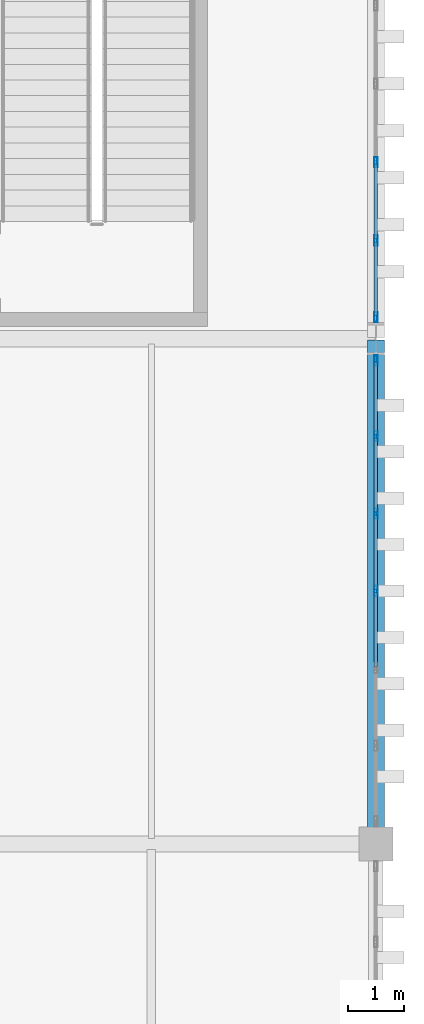
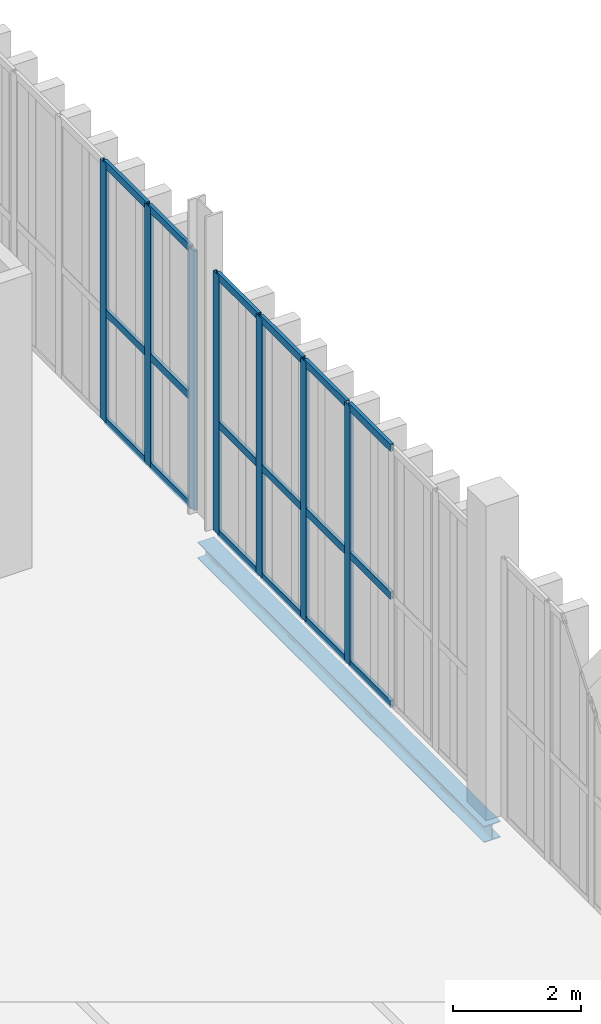
# One storey, part 104 of 211: 25 members, 1 beam, 2 elements without a shape of their own.
"""IFC4 building model written with IfcOpenShell, lengths in metres."""

from ifc_helpers import new_model, si_unit, direction, frame, origin, origin_2d, place, context, subcontext, project, spatial, hollow_rectangle, i_section, extrude, material, layer, layer_set, material_profile, profile_set, type_object, element, aggregate, save


model = new_model("IFC4")

# Units and contexts
model_context = context("Model", 3, precision=1e-05, world=origin(), true_north=direction((0.0, 1.0)))
body_context = subcontext(model_context, "Body", "Model", "MODEL_VIEW")
ifc_project = project(units=[si_unit("LENGTHUNIT", "METRE"), si_unit("AREAUNIT", "SQUARE_METRE"), si_unit("VOLUMEUNIT", "CUBIC_METRE"), si_unit("PLANEANGLEUNIT", "RADIAN"), si_unit("MASSUNIT", "GRAM", prefix="KILO")], contexts=[model_context])

# Site, building, storey
site_placement = place(None, origin())
site = spatial("IfcSite", under=ifc_project, at=site_placement, CompositionType="ELEMENT")
building_placement = place(site_placement, origin())
building = spatial("IfcBuilding", under=site, at=building_placement, Name="Barlavento Convention Centre", CompositionType="ELEMENT")
storey_placement = place(building_placement, frame((0.0, 0.0, 6.0)))
storey = spatial("IfcBuildingStorey", under=building, at=storey_placement, Name="L01", CompositionType="ELEMENT", Elevation=6.0)

# Curtain wall, members
ifc_material_1 = material(Name="Powder-coated aluminium and Low-E glass", Category="aluminium")
ifc_layer = layer(ifc_material_1, 0.195068359375)
ifc_layer_set = layer_set([ifc_layer], Name="ARC-CW-FOY-L01")
curtain_wall_type = type_object("IfcCurtainWallType", Name="ARC-CW-FOY-L01", PredefinedType="NOTDEFINED", material=ifc_layer_set)
curtain_wall_1_placement = place(storey_placement, origin())
curtain_wall_1 = element("IfcCurtainWall", 1, at=curtain_wall_1_placement, inside=storey, type_object=curtain_wall_type, Name="L01 unitised curtain wall CW03", PredefinedType="NOTDEFINED")
ifc_material_2 = material(Name="Powder-coated aluminium", Category="aluminium")
ifc_material_profile_1 = material_profile(ifc_material_2, hollow_rectangle(XDim=0.06005859375, YDim=0.179931640625, WallThickness=0.0048828125, at=origin_2d()), Name="AL-MULL 60x180x5")
ifc_profile_set_1 = profile_set([ifc_material_profile_1], Name="Powder-coated aluminium")
member_type_1 = type_object("IfcMemberType", Name="ARC-CWM-60X180", PredefinedType="MULLION", material=ifc_profile_set_1)
member_1_placement = place(storey_placement, frame((192.0, 31.507080078125, 0.0), z_axis=(0.0, 0.0, 1.0), x_axis=(-1.0, 0.0, 0.0)))
member_1 = element("IfcMember", 2, at=member_1_placement, type_object=member_type_1, Name="CW03 mullion 4", PredefinedType="MULLION", context=body_context, shape_type="SweptSolid", body=[
    extrude(hollow_rectangle(XDim=0.06005859375, YDim=0.179931640625, WallThickness=0.0048828125, at=origin_2d()), origin(), (0.0, 0.0, 1.0), 4.949951171875),
])
member_2_placement = place(storey_placement, frame((192.0, 32.885986328125, 0.0), z_axis=(0.0, 0.0, 1.0), x_axis=(-1.0, 0.0, 0.0)))
member_2 = element("IfcMember", 3, at=member_2_placement, type_object=member_type_1, Name="CW03 mullion 5", PredefinedType="MULLION", context=body_context, shape_type="SweptSolid", body=[
    extrude(hollow_rectangle(XDim=0.06005859375, YDim=0.179931640625, WallThickness=0.0048828125, at=origin_2d()), origin(), (0.0, 0.0, 1.0), 4.949951171875),
])
member_3_placement = place(storey_placement, frame((192.0, 34.264892578125, 0.0), z_axis=(0.0, 0.0, 1.0), x_axis=(-1.0, 0.0, 0.0)))
member_3 = element("IfcMember", 4, at=member_3_placement, type_object=member_type_1, Name="CW03 mullion 6", PredefinedType="MULLION", context=body_context, shape_type="SweptSolid", body=[
    extrude(hollow_rectangle(XDim=0.06005859375, YDim=0.179931640625, WallThickness=0.0048828125, at=origin_2d()), origin(), (0.0, 0.0, 1.0), 4.949951171875),
])
member_4_placement = place(storey_placement, frame((192.0, 35.614013671875, 0.0), z_axis=(0.0, 0.0, 1.0), x_axis=(-1.0, 0.0, 0.0)))
member_4 = element("IfcMember", 5, at=member_4_placement, type_object=member_type_1, Name="CW03 mullion 7", PredefinedType="MULLION", context=body_context, shape_type="SweptSolid", body=[
    extrude(hollow_rectangle(XDim=0.06005859375, YDim=0.179931640625, WallThickness=0.0048828125, at=origin_2d()), origin(), (0.0, 0.0, 1.0), 4.949951171875),
])

curtain_wall_2_placement = place(storey_placement, origin())
curtain_wall_2 = element("IfcCurtainWall", 6, at=curtain_wall_2_placement, inside=storey, type_object=curtain_wall_type, Name="L01 unitised curtain wall CW03", PredefinedType="NOTDEFINED")
member_5_placement = place(storey_placement, frame((192.0, 36.385986328125, 0.0), z_axis=(0.0, 0.0, 1.0), x_axis=(-1.0, 0.0, 0.0)))
member_5 = element("IfcMember", 7, at=member_5_placement, type_object=member_type_1, Name="CW03 mullion 1", PredefinedType="MULLION", context=body_context, shape_type="SweptSolid", body=[
    extrude(hollow_rectangle(XDim=0.06005859375, YDim=0.179931640625, WallThickness=0.0048828125, at=origin_2d()), origin(), (0.0, 0.0, 1.0), 4.949951171875),
])
member_6_placement = place(storey_placement, frame((192.0, 37.751220703125, 0.0), z_axis=(0.0, 0.0, 1.0), x_axis=(-1.0, 0.0, 0.0)))
member_6 = element("IfcMember", 8, at=member_6_placement, type_object=member_type_1, Name="CW03 mullion 2", PredefinedType="MULLION", context=body_context, shape_type="SweptSolid", body=[
    extrude(hollow_rectangle(XDim=0.06005859375, YDim=0.179931640625, WallThickness=0.0048828125, at=origin_2d()), origin(), (0.0, 0.0, 1.0), 4.949951171875),
])
member_7_placement = place(storey_placement, frame((192.0, 39.146240234375, 0.0), z_axis=(0.0, 0.0, 1.0), x_axis=(-1.0, 0.0, 0.0)))
member_7 = element("IfcMember", 9, at=member_7_placement, type_object=member_type_1, Name="CW03 mullion 3", PredefinedType="MULLION", context=body_context, shape_type="SweptSolid", body=[
    extrude(hollow_rectangle(XDim=0.06005859375, YDim=0.179931640625, WallThickness=0.0048828125, at=origin_2d()), origin(), (0.0, 0.0, 1.0), 4.949951171875),
])

# Member
ifc_material_profile_2 = material_profile(ifc_material_2, hollow_rectangle(XDim=0.06005859375, YDim=0.139892578125, WallThickness=0.00390625, at=origin_2d()), Name="AL-TRAN 60x140x4")
ifc_profile_set_2 = profile_set([ifc_material_profile_2], Name="Powder-coated aluminium")
member_type_2 = type_object("IfcMemberType", Name="ARC-CWT-60X140", PredefinedType="USERDEFINED", material=ifc_profile_set_2)
member_8_placement = place(storey_placement, frame((192.0, 30.157958984375, 0.030029296875), z_axis=(0.0, 1.0, 0.0), x_axis=(-1.0, 0.0, 0.0)))
member_8 = element("IfcMember", 10, at=member_8_placement, type_object=member_type_2, Name="CW03 transom 3.1", ObjectType="TRANSOM", PredefinedType="USERDEFINED", context=body_context, shape_type="SweptSolid", body=[
    extrude(hollow_rectangle(XDim=0.06005859375, YDim=0.139892578125, WallThickness=0.00390625, at=origin_2d()), origin(), (0.0, 0.0, 1.0), 1.319091796875),
])

member_9_placement = place(storey_placement, frame((192.0, 30.157958984375, 2.10009765625), z_axis=(0.0, 1.0, 0.0), x_axis=(-1.0, 0.0, 0.0)))
member_9 = element("IfcMember", 11, at=member_9_placement, type_object=member_type_2, Name="CW03 transom 3.2", ObjectType="TRANSOM", PredefinedType="USERDEFINED", context=body_context, shape_type="SweptSolid", body=[
    extrude(hollow_rectangle(XDim=0.06005859375, YDim=0.139892578125, WallThickness=0.00390625, at=origin_2d()), origin(), (0.0, 0.0, 1.0), 1.319091796875),
])

member_10_placement = place(storey_placement, frame((192.0, 30.157958984375, 4.919921875), z_axis=(0.0, 1.0, 0.0), x_axis=(-1.0, 0.0, 0.0)))
member_10 = element("IfcMember", 12, at=member_10_placement, type_object=member_type_2, Name="CW03 transom 3.3", ObjectType="TRANSOM", PredefinedType="USERDEFINED", context=body_context, shape_type="SweptSolid", body=[
    extrude(hollow_rectangle(XDim=0.06005859375, YDim=0.139892578125, WallThickness=0.00390625, at=origin_2d()), origin(), (0.0, 0.0, 1.0), 1.319091796875),
])

member_11_placement = place(storey_placement, frame((192.0, 31.537109375, 0.030029296875), z_axis=(0.0, 1.0, 0.0), x_axis=(-1.0, 0.0, 0.0)))
member_11 = element("IfcMember", 13, at=member_11_placement, type_object=member_type_2, Name="CW03 transom 4.1", ObjectType="TRANSOM", PredefinedType="USERDEFINED", context=body_context, shape_type="SweptSolid", body=[
    extrude(hollow_rectangle(XDim=0.06005859375, YDim=0.139892578125, WallThickness=0.00390625, at=origin_2d()), origin(), (0.0, 0.0, 1.0), 1.31884765625),
])

member_12_placement = place(storey_placement, frame((192.0, 31.537109375, 2.10009765625), z_axis=(0.0, 1.0, 0.0), x_axis=(-1.0, 0.0, 0.0)))
member_12 = element("IfcMember", 14, at=member_12_placement, type_object=member_type_2, Name="CW03 transom 4.2", ObjectType="TRANSOM", PredefinedType="USERDEFINED", context=body_context, shape_type="SweptSolid", body=[
    extrude(hollow_rectangle(XDim=0.06005859375, YDim=0.139892578125, WallThickness=0.00390625, at=origin_2d()), origin(), (0.0, 0.0, 1.0), 1.31884765625),
])

member_13_placement = place(storey_placement, frame((192.0, 31.537109375, 4.919921875), z_axis=(0.0, 1.0, 0.0), x_axis=(-1.0, 0.0, 0.0)))
member_13 = element("IfcMember", 15, at=member_13_placement, type_object=member_type_2, Name="CW03 transom 4.3", ObjectType="TRANSOM", PredefinedType="USERDEFINED", context=body_context, shape_type="SweptSolid", body=[
    extrude(hollow_rectangle(XDim=0.06005859375, YDim=0.139892578125, WallThickness=0.00390625, at=origin_2d()), origin(), (0.0, 0.0, 1.0), 1.31884765625),
])

member_14_placement = place(storey_placement, frame((192.0, 32.916015625, 0.030029296875), z_axis=(0.0, 1.0, 0.0), x_axis=(-1.0, 0.0, 0.0)))
member_14 = element("IfcMember", 16, at=member_14_placement, type_object=member_type_2, Name="CW03 transom 5.1", ObjectType="TRANSOM", PredefinedType="USERDEFINED", context=body_context, shape_type="SweptSolid", body=[
    extrude(hollow_rectangle(XDim=0.06005859375, YDim=0.139892578125, WallThickness=0.00390625, at=origin_2d()), origin(), (0.0, 0.0, 1.0), 1.319091796875),
])

member_15_placement = place(storey_placement, frame((192.0, 32.916015625, 2.10009765625), z_axis=(0.0, 1.0, 0.0), x_axis=(-1.0, 0.0, 0.0)))
member_15 = element("IfcMember", 17, at=member_15_placement, type_object=member_type_2, Name="CW03 transom 5.2", ObjectType="TRANSOM", PredefinedType="USERDEFINED", context=body_context, shape_type="SweptSolid", body=[
    extrude(hollow_rectangle(XDim=0.06005859375, YDim=0.139892578125, WallThickness=0.00390625, at=origin_2d()), origin(), (0.0, 0.0, 1.0), 1.319091796875),
])

member_16_placement = place(storey_placement, frame((192.0, 32.916015625, 4.919921875), z_axis=(0.0, 1.0, 0.0), x_axis=(-1.0, 0.0, 0.0)))
member_16 = element("IfcMember", 18, at=member_16_placement, type_object=member_type_2, Name="CW03 transom 5.3", ObjectType="TRANSOM", PredefinedType="USERDEFINED", context=body_context, shape_type="SweptSolid", body=[
    extrude(hollow_rectangle(XDim=0.06005859375, YDim=0.139892578125, WallThickness=0.00390625, at=origin_2d()), origin(), (0.0, 0.0, 1.0), 1.319091796875),
])

member_17_placement = place(storey_placement, frame((192.0, 34.294921875, 0.030029296875), z_axis=(0.0, 1.0, 0.0), x_axis=(-1.0, 0.0, 0.0)))
member_17 = element("IfcMember", 19, at=member_17_placement, type_object=member_type_2, Name="CW03 transom 6.1", ObjectType="TRANSOM", PredefinedType="USERDEFINED", context=body_context, shape_type="SweptSolid", body=[
    extrude(hollow_rectangle(XDim=0.06005859375, YDim=0.139892578125, WallThickness=0.00390625, at=origin_2d()), origin(), (0.0, 0.0, 1.0), 1.2890625),
])

member_18_placement = place(storey_placement, frame((192.0, 34.294921875, 2.10009765625), z_axis=(0.0, 1.0, 0.0), x_axis=(-1.0, 0.0, 0.0)))
member_18 = element("IfcMember", 20, at=member_18_placement, type_object=member_type_2, Name="CW03 transom 6.2", ObjectType="TRANSOM", PredefinedType="USERDEFINED", context=body_context, shape_type="SweptSolid", body=[
    extrude(hollow_rectangle(XDim=0.06005859375, YDim=0.139892578125, WallThickness=0.00390625, at=origin_2d()), origin(), (0.0, 0.0, 1.0), 1.2890625),
])

member_19_placement = place(storey_placement, frame((192.0, 34.294921875, 4.919921875), z_axis=(0.0, 1.0, 0.0), x_axis=(-1.0, 0.0, 0.0)))
member_19 = element("IfcMember", 21, at=member_19_placement, type_object=member_type_2, Name="CW03 transom 6.3", ObjectType="TRANSOM", PredefinedType="USERDEFINED", context=body_context, shape_type="SweptSolid", body=[
    extrude(hollow_rectangle(XDim=0.06005859375, YDim=0.139892578125, WallThickness=0.00390625, at=origin_2d()), origin(), (0.0, 0.0, 1.0), 1.2890625),
])

aggregate(curtain_wall_1, [member_1, member_2, member_3, member_4, member_8, member_9, member_10, member_11, member_12, member_13, member_14, member_15, member_16, member_17, member_18, member_19])

member_20_placement = place(storey_placement, frame((192.0, 36.416015625, 0.030029296875), z_axis=(0.0, 1.0, 0.0), x_axis=(-1.0, 0.0, 0.0)))
member_20 = element("IfcMember", 22, at=member_20_placement, type_object=member_type_2, Name="CW03 transom 1.1", ObjectType="TRANSOM", PredefinedType="USERDEFINED", context=body_context, shape_type="SweptSolid", body=[
    extrude(hollow_rectangle(XDim=0.06005859375, YDim=0.139892578125, WallThickness=0.00390625, at=origin_2d()), origin(), (0.0, 0.0, 1.0), 1.30517578125),
])

member_21_placement = place(storey_placement, frame((192.0, 36.416015625, 2.10009765625), z_axis=(0.0, 1.0, 0.0), x_axis=(-1.0, 0.0, 0.0)))
member_21 = element("IfcMember", 23, at=member_21_placement, type_object=member_type_2, Name="CW03 transom 1.2", ObjectType="TRANSOM", PredefinedType="USERDEFINED", context=body_context, shape_type="SweptSolid", body=[
    extrude(hollow_rectangle(XDim=0.06005859375, YDim=0.139892578125, WallThickness=0.00390625, at=origin_2d()), origin(), (0.0, 0.0, 1.0), 1.30517578125),
])

member_22_placement = place(storey_placement, frame((192.0, 36.416015625, 4.919921875), z_axis=(0.0, 1.0, 0.0), x_axis=(-1.0, 0.0, 0.0)))
member_22 = element("IfcMember", 24, at=member_22_placement, type_object=member_type_2, Name="CW03 transom 1.3", ObjectType="TRANSOM", PredefinedType="USERDEFINED", context=body_context, shape_type="SweptSolid", body=[
    extrude(hollow_rectangle(XDim=0.06005859375, YDim=0.139892578125, WallThickness=0.00390625, at=origin_2d()), origin(), (0.0, 0.0, 1.0), 1.30517578125),
])

member_23_placement = place(storey_placement, frame((192.0, 37.78125, 0.030029296875), z_axis=(0.0, 1.0, 0.0), x_axis=(-1.0, 0.0, 0.0)))
member_23 = element("IfcMember", 25, at=member_23_placement, type_object=member_type_2, Name="CW03 transom 2.1", ObjectType="TRANSOM", PredefinedType="USERDEFINED", context=body_context, shape_type="SweptSolid", body=[
    extrude(hollow_rectangle(XDim=0.06005859375, YDim=0.139892578125, WallThickness=0.00390625, at=origin_2d()), origin(), (0.0, 0.0, 1.0), 1.3349609375),
])

member_24_placement = place(storey_placement, frame((192.0, 37.78125, 2.10009765625), z_axis=(0.0, 1.0, 0.0), x_axis=(-1.0, 0.0, 0.0)))
member_24 = element("IfcMember", 26, at=member_24_placement, type_object=member_type_2, Name="CW03 transom 2.2", ObjectType="TRANSOM", PredefinedType="USERDEFINED", context=body_context, shape_type="SweptSolid", body=[
    extrude(hollow_rectangle(XDim=0.06005859375, YDim=0.139892578125, WallThickness=0.00390625, at=origin_2d()), origin(), (0.0, 0.0, 1.0), 1.3349609375),
])

member_25_placement = place(storey_placement, frame((192.0, 37.78125, 4.919921875), z_axis=(0.0, 1.0, 0.0), x_axis=(-1.0, 0.0, 0.0)))
member_25 = element("IfcMember", 27, at=member_25_placement, type_object=member_type_2, Name="CW03 transom 2.3", ObjectType="TRANSOM", PredefinedType="USERDEFINED", context=body_context, shape_type="SweptSolid", body=[
    extrude(hollow_rectangle(XDim=0.06005859375, YDim=0.139892578125, WallThickness=0.00390625, at=origin_2d()), origin(), (0.0, 0.0, 1.0), 1.3349609375),
])

aggregate(curtain_wall_2, [member_5, member_6, member_7, member_20, member_21, member_22, member_23, member_24, member_25])

# Beam
ifc_material_3 = material(Name="Steel S355", Category="steel")
ifc_material_profile_3 = material_profile(ifc_material_3, i_section(OverallWidth=0.300048828125, OverallDepth=0.31005859375, WebThickness=0.009033203125, FlangeThickness=0.015380859375, FilletRadius=0.027099609375, at=origin_2d()), Name="HEA 320")
ifc_profile_set_3 = profile_set([ifc_material_profile_3], Name="Steel S355")
beam_type = type_object("IfcBeamType", Name="STR-BM-SPN-HEA320", PredefinedType="SPANDREL", material=ifc_profile_set_3)
beam_placement = place(storey_placement, frame((192.0, 27.02001953125, -0.514892578125), z_axis=(0.0, 1.0, 0.0), x_axis=(-1.0, 0.0, 0.0)))
element("IfcBeam", 28, at=beam_placement, inside=storey, type_object=beam_type, Name="L01 grid girder SP01", PredefinedType="SPANDREL", context=body_context, shape_type="SweptSolid", body=[
    extrude(i_section(OverallWidth=0.300048828125, OverallDepth=0.31005859375, WebThickness=0.009033203125, FlangeThickness=0.015380859375, FilletRadius=0.027099609375, at=origin_2d()), origin(), (0.0, 0.0, 1.0), 8.9599609375),
])

save(model, "model.ifc")
